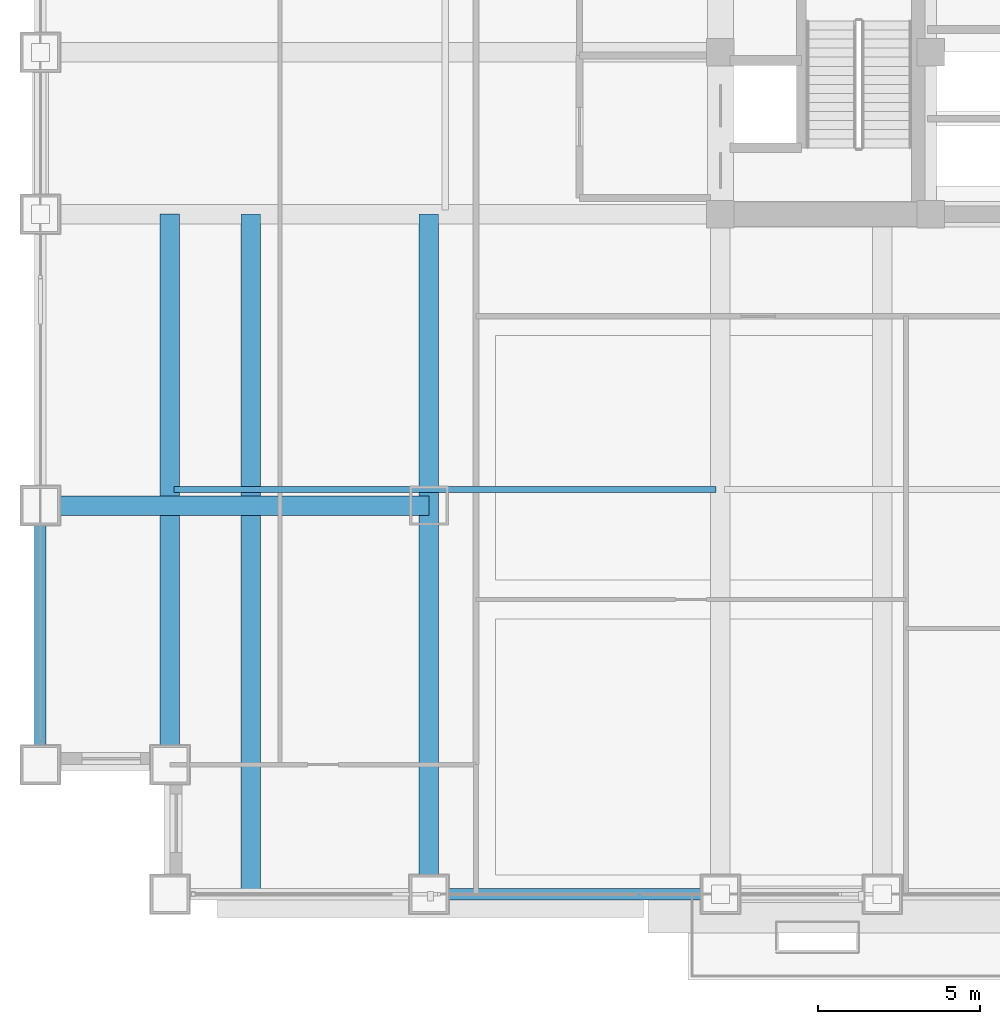
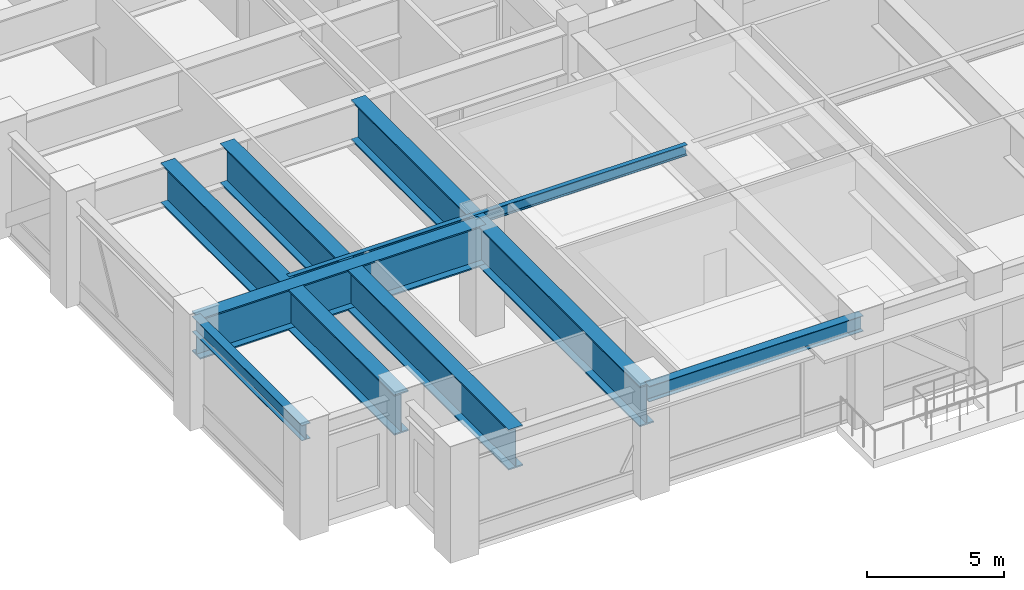
# One storey, part 3 of 34: 7 beams.
"""IFC4 building model written with IfcOpenShell, lengths in metres."""

from ifc_helpers import new_model, si_unit, direction, frame, origin, origin_2d, place, context, subcontext, project, spatial, i_section, extrude, source, transform, mapped, material, material_profile, profile_set, type_object, element, save


model = new_model("IFC4")

# Units and contexts
model_context = context("Model", 3, precision=1e-05, world=origin(), true_north=direction((0.0, 1.0)))
body_context = subcontext(model_context, "Body", "Model", "MODEL_VIEW")
ifc_project = project(units=[si_unit("LENGTHUNIT", "METRE"), si_unit("AREAUNIT", "SQUARE_METRE"), si_unit("VOLUMEUNIT", "CUBIC_METRE"), si_unit("PLANEANGLEUNIT", "RADIAN"), si_unit("MASSUNIT", "GRAM", prefix="KILO")], contexts=[model_context])

# Site, building, storey
site_placement = place(None, origin())
site = spatial("IfcSite", under=ifc_project, at=site_placement, CompositionType="ELEMENT")
building_placement = place(site_placement, origin())
building = spatial("IfcBuilding", under=site, at=building_placement, Name="Khorayat Bourse Tower", CompositionType="ELEMENT")
storey_placement = place(building_placement, frame((0.0, 0.0, 144.699951171875)))
storey = spatial("IfcBuildingStorey", under=building, at=storey_placement, Name="L33", CompositionType="ELEMENT", Elevation=144.699951171875)

# Beams
ifc_material_1 = material(Name="Steel EN 10025-4 S460M", Category="steel")
ifc_material_profile_1 = material_profile(ifc_material_1, i_section(OverallWidth=0.60009765625, OverallDepth=1.800048828125, WebThickness=0.031982421875, FlangeThickness=0.06005859375, at=origin_2d()), Name="PG 1800x600x32x60")
ifc_profile_set_1 = profile_set([ifc_material_profile_1], Name="Steel EN 10025-4 S460M")
beam_type_1 = type_object("IfcBeamType", Name="BM-TR-1800", PredefinedType="BEAM", material=ifc_profile_set_1)
shared_shape_1 = source(origin(), body_context, "Body", "SweptSolid", [
    extrude(i_section(OverallWidth=0.60009765625, OverallDepth=1.800048828125, WebThickness=0.031982421875, FlangeThickness=0.06005859375, at=origin_2d()), origin(), (0.0, 0.0, 1.0), 12.0),
])
beam_1_placement = place(storey_placement, frame((-32.0, -20.0, 3.699951171875), z_axis=(1.0, 0.0, 0.0), x_axis=(0.0, 1.0, 0.0)))
element("IfcBeam", 1, at=beam_1_placement, inside=storey, type_object=beam_type_1, Name="L33 BM-TR-1800 BM-L33-CNRX-097", PredefinedType="BEAM", context=body_context, shape_type="MappedRepresentation", body=[
    mapped(shared_shape_1, transform((0.0, 0.0, 0.0), scale=1.0)),
])
ifc_material_2 = material(Name="Steel ASTM A992 Grade 50", Category="steel")
ifc_material_profile_2 = material_profile(ifc_material_2, i_section(OverallWidth=0.35498046875, OverallDepth=0.695068359375, WebThickness=0.015380859375, FlangeThickness=0.02490234375, FilletRadius=0.01806640625, at=origin_2d()), Name="W690X217")
ifc_profile_set_2 = profile_set([ifc_material_profile_2], Name="Steel ASTM A992 Grade 50")
beam_type_2 = type_object("IfcBeamType", Name="BM-SPAN-690", PredefinedType="SPANDREL", material=ifc_profile_set_2)
shared_shape_2 = source(origin(), body_context, "Body", "SweptSolid", [
    extrude(i_section(OverallWidth=0.35498046875, OverallDepth=0.695068359375, WebThickness=0.015380859375, FlangeThickness=0.02490234375, FilletRadius=0.01806640625, at=origin_2d()), origin(), (0.0, 0.0, 1.0), 9.0),
])
beam_2_placement = place(storey_placement, frame((-20.0, -32.0, 4.25244140625), z_axis=(1.0, 0.0, 0.0), x_axis=(0.0, 1.0, 0.0)))
element("IfcBeam", 2, at=beam_2_placement, inside=storey, type_object=beam_type_2, Name="L33 BM-SPAN-690 BM-L33-SPN-025", PredefinedType="SPANDREL", context=body_context, shape_type="MappedRepresentation", body=[
    mapped(shared_shape_2, transform((0.0, 0.0, 0.0), scale=1.0)),
])
shared_shape_3 = source(origin(), body_context, "Body", "SweptSolid", [
    extrude(i_section(OverallWidth=0.35498046875, OverallDepth=0.695068359375, WebThickness=0.015380859375, FlangeThickness=0.02490234375, FilletRadius=0.01806640625, at=origin_2d()), origin(), (0.0, 0.0, 1.0), 8.0),
])
beam_3_placement = place(storey_placement, frame((-32.0, -28.0, 4.25244140625), z_axis=(0.0, 1.0, 0.0), x_axis=(-1.0, 0.0, 0.0)))
element("IfcBeam", 3, at=beam_3_placement, inside=storey, type_object=beam_type_2, Name="L33 BM-SPAN-690 BM-L33-SPN-061", PredefinedType="SPANDREL", context=body_context, shape_type="MappedRepresentation", body=[
    mapped(shared_shape_3, transform((0.0, 0.0, 0.0), scale=1.0)),
])
ifc_material_profile_3 = material_profile(ifc_material_2, i_section(OverallWidth=0.194091796875, OverallDepth=0.468994140625, WebThickness=0.0126953125, FlangeThickness=0.0205078125, FilletRadius=0.012939453125, at=origin_2d()), Name="W460X106")
ifc_profile_set_3 = profile_set([ifc_material_profile_3], Name="Steel ASTM A992 Grade 50")
beam_type_3 = type_object("IfcBeamType", Name="BM-JOIST-460", PredefinedType="JOIST", material=ifc_profile_set_3)
shared_shape_4 = source(origin(), body_context, "Body", "SweptSolid", [
    extrude(i_section(OverallWidth=0.194091796875, OverallDepth=0.468994140625, WebThickness=0.0126953125, FlangeThickness=0.0205078125, FilletRadius=0.012939453125, at=origin_2d()), origin(), (0.0, 0.0, 1.0), 16.740234375),
])
beam_4_placement = place(storey_placement, frame((-27.8701171875, -19.5, 4.365478515625), z_axis=(1.0, 0.0, 0.0), x_axis=(0.0, 1.0, 0.0)))
element("IfcBeam", 4, at=beam_4_placement, inside=storey, type_object=beam_type_3, Name="L33 BM-JOIST-460 BM-L33-JSTX-104", PredefinedType="JOIST", context=body_context, shape_type="MappedRepresentation", body=[
    mapped(shared_shape_4, transform((0.0, 0.0, 0.0), scale=1.0)),
])
shared_shape_5 = source(origin(), body_context, "Body", "SweptSolid", [
    extrude(i_section(OverallWidth=0.60009765625, OverallDepth=1.800048828125, WebThickness=0.031982421875, FlangeThickness=0.06005859375, at=origin_2d()), origin(), (0.0, 0.0, 1.0), 21.0),
])
for number, where, z_axis, x_axis, name in (
    (5, (-20.0, -32.0, 3.699951171875), (0.0, 1.0, 0.0), (-1.0, 0.0, 0.0), "L33 BM-TR-1800 BM-L33-CNRY-084"),
    (6, (-25.5, -32.0, 3.699951171875), (0.0, 1.0, 0.0), (-1.0, 0.0, 0.0), "L33 BM-TR-1800 BM-L33-CNRY-088"),
):
    element("IfcBeam", number, at=place(storey_placement, frame(where, z_axis=z_axis, x_axis=x_axis)), inside=storey, type_object=beam_type_1, Name=name, PredefinedType="BEAM", context=body_context, shape_type="MappedRepresentation", body=[
        mapped(shared_shape_5, transform((0.0, 0.0, 0.0), scale=1.0)),
    ])
shared_shape_6 = source(origin(), body_context, "Body", "SweptSolid", [
    extrude(i_section(OverallWidth=0.60009765625, OverallDepth=1.800048828125, WebThickness=0.031982421875, FlangeThickness=0.06005859375, at=origin_2d()), origin(), (0.0, 0.0, 1.0), 17.0),
])
beam_5_placement = place(storey_placement, frame((-28.0, -28.0, 3.699951171875), z_axis=(0.0, 1.0, 0.0), x_axis=(-1.0, 0.0, 0.0)))
element("IfcBeam", 7, at=beam_5_placement, inside=storey, type_object=beam_type_1, Name="L33 BM-TR-1800 BM-L33-CNRY-092", PredefinedType="BEAM", context=body_context, shape_type="MappedRepresentation", body=[
    mapped(shared_shape_6, transform((0.0, 0.0, 0.0), scale=1.0)),
])

save(model, "model.ifc")
